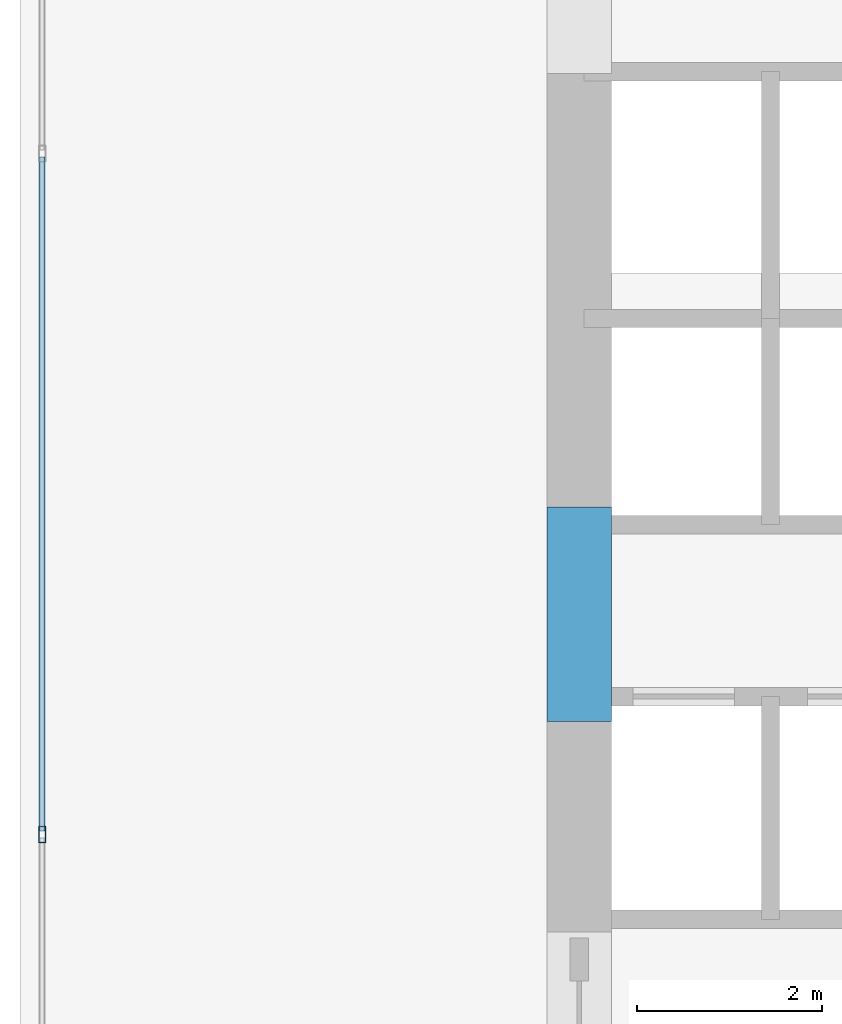
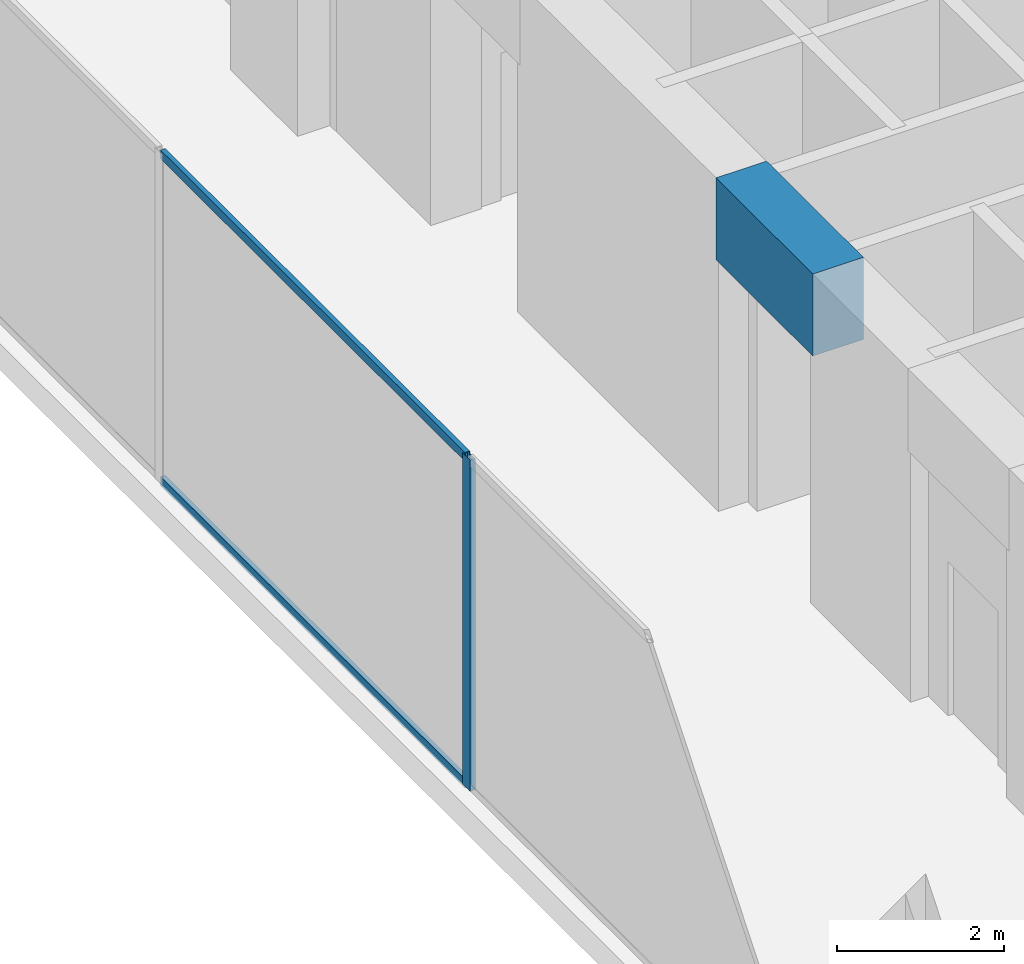
# One storey, part 4 of 36: 3 members, 1 beam, 1 element without a shape of its own.
"""IFC4 building model written with IfcOpenShell, lengths in metres."""

from ifc_helpers import new_model, si_unit, direction, frame, origin, origin_with_axes, origin_2d, place, context, subcontext, project, spatial, rectangle, hollow_rectangle, extrude, source, transform, mapped, material, layer, layer_set, material_profile, profile_set, type_object, element, aggregate, save


model = new_model("IFC4")

# Units and contexts
model_context = context("Model", 3, precision=1e-05, world=origin(), true_north=direction((0.0, 1.0)))
body_context = subcontext(model_context, "Body", "Model", "MODEL_VIEW")
ifc_project = project(units=[si_unit("LENGTHUNIT", "METRE"), si_unit("AREAUNIT", "SQUARE_METRE"), si_unit("VOLUMEUNIT", "CUBIC_METRE"), si_unit("PLANEANGLEUNIT", "RADIAN"), si_unit("MASSUNIT", "GRAM", prefix="KILO")], contexts=[model_context])

# Site, building, storey
site_placement = place(None, origin())
site = spatial("IfcSite", under=ifc_project, at=site_placement, CompositionType="ELEMENT")
building_placement = place(site_placement, origin())
building = spatial("IfcBuilding", under=site, at=building_placement, Name="Kolvaren Waterfront Exchange", CompositionType="ELEMENT")
storey_placement = place(building_placement, frame((0.0, 0.0, 82.800048828125)))
storey = spatial("IfcBuildingStorey", under=building, at=storey_placement, Name="L21", CompositionType="ELEMENT", Elevation=82.800048828125)

# Beam
ifc_material_1 = material(Name="Concrete C70/85", Category="concrete")
ifc_material_profile_1 = material_profile(ifc_material_1, rectangle(XDim=0.699951171875, YDim=1.199951171875, at=origin_2d()), Name="RC-CB-1200x700")
ifc_profile_set_1 = profile_set([ifc_material_profile_1], Name="Concrete C70/85")
beam_type = type_object("IfcBeamType", Name="STR-CB-1200", PredefinedType="SPANDREL", material=ifc_profile_set_1)
beam_placement = place(storey_placement, frame((7.449951171875, 12.090087890625, 4.239990234375), z_axis=(0.0, 1.0, 0.0), x_axis=(-1.0, 0.0, 0.0)))
element("IfcBeam", 1, at=beam_placement, inside=storey, type_object=beam_type, Name="L21 core coupling beam 4", PredefinedType="SPANDREL", context=body_context, shape_type="SweptSolid", body=[
    extrude(rectangle(XDim=0.699951171875, YDim=1.199951171875, at=origin_2d()), origin(), (0.0, 0.0, 1.0), 2.31982421875),
])

# Curtain wall, members
ifc_material_2 = material(Name="Anodised dark bronze spandrel aluminium", Category="aluminium")
ifc_layer = layer(ifc_material_2, 0.219970703125, Name="Anodised dark bronze spandrel aluminium")
ifc_layer_set = layer_set([ifc_layer], Name="Anodised dark bronze spandrel aluminium")
curtain_wall_type = type_object("IfcCurtainWallType", Name="ARC-CW-SYS6", PredefinedType="USERDEFINED", material=ifc_layer_set)
curtain_wall_placement = place(storey_placement, origin())
curtain_wall = element("IfcCurtainWall", 2, at=curtain_wall_placement, inside=storey, type_object=curtain_wall_type, Name="L21 stick curtain wall CW6 (CW-L21-W)", ObjectType="STICK CURTAIN WALL", PredefinedType="USERDEFINED")
ifc_material_3 = material(Name="Anodised bronze aluminium 6063-T6", Category="aluminium")
ifc_material_profile_2 = material_profile(ifc_material_3, hollow_rectangle(XDim=0.074951171875, YDim=0.179931640625, WallThickness=0.00439453125, at=origin_2d()), Name="ALU-MUL-180x75x4.5")
ifc_profile_set_2 = profile_set([ifc_material_profile_2], Name="Anodised bronze aluminium 6063-T6")
member_type_1 = type_object("IfcMemberType", Name="ARC-CWM-180", PredefinedType="MULLION", material=ifc_profile_set_2)
shared_shape_1 = source(origin_with_axes(), body_context, "Body", "SweptSolid", [
    extrude(hollow_rectangle(XDim=0.074951171875, YDim=0.179931640625, WallThickness=0.00439453125, at=origin_2d()), origin(), (0.0, 0.0, 1.0), 4.83984375),
])
member_1_placement = place(storey_placement, frame((1.639892578125, 10.86669921875, 0.0), z_axis=(0.0, 0.0, 1.0), x_axis=(-1.0, 0.0, 0.0)))
member_1 = element("IfcMember", 3, at=member_1_placement, type_object=member_type_1, Name="CW6 mullion 2", PredefinedType="MULLION", context=body_context, shape_type="MappedRepresentation", body=[
    mapped(shared_shape_1, transform((0.0, 0.0, 0.0), x_axis=(1.0, 0.0, 0.0), y_axis=(0.0, 1.0, 0.0), z_axis=(0.0, 0.0, 1.0), scale=1.0)),
])
ifc_material_profile_3 = material_profile(ifc_material_3, hollow_rectangle(XDim=0.06494140625, YDim=0.1298828125, WallThickness=0.00390625, at=origin_2d()), Name="ALU-TRN-130x65x4")
ifc_profile_set_3 = profile_set([ifc_material_profile_3], Name="Anodised bronze aluminium 6063-T6")
member_type_2 = type_object("IfcMemberType", Name="ARC-CWT-130", PredefinedType="USERDEFINED", material=ifc_profile_set_3)
shared_shape_2 = source(origin_with_axes(), body_context, "Body", "SweptSolid", [
    extrude(hollow_rectangle(XDim=0.06494140625, YDim=0.1298828125, WallThickness=0.00390625, at=origin_2d()), origin(), (0.0, 0.0, 1.0), 7.291748046875),
])
member_2_placement = place(storey_placement, frame((1.639892578125, 10.904052734375, 0.032470703125), z_axis=(0.0, 1.0, 0.0), x_axis=(-1.0, 0.0, 0.0)))
member_2 = element("IfcMember", 4, at=member_2_placement, type_object=member_type_2, Name="CW6 transom 2.1", ObjectType="TRANSOM", PredefinedType="USERDEFINED", context=body_context, shape_type="MappedRepresentation", body=[
    mapped(shared_shape_2, transform((0.0, 0.0, 0.0), x_axis=(1.0, 0.0, 0.0), y_axis=(0.0, 1.0, 0.0), z_axis=(0.0, 0.0, 1.0), scale=1.0)),
])
member_3_placement = place(storey_placement, frame((1.639892578125, 10.904052734375, 4.807373046875), z_axis=(0.0, 1.0, 0.0), x_axis=(-1.0, 0.0, 0.0)))
member_3 = element("IfcMember", 5, at=member_3_placement, type_object=member_type_2, Name="CW6 transom 2.2", ObjectType="TRANSOM", PredefinedType="USERDEFINED", context=body_context, shape_type="MappedRepresentation", body=[
    mapped(shared_shape_2, transform((0.0, 0.0, 0.0), x_axis=(1.0, 0.0, 0.0), y_axis=(0.0, 1.0, 0.0), z_axis=(0.0, 0.0, 1.0), scale=1.0)),
])
aggregate(curtain_wall, [member_1, member_2, member_3])

save(model, "model.ifc")
